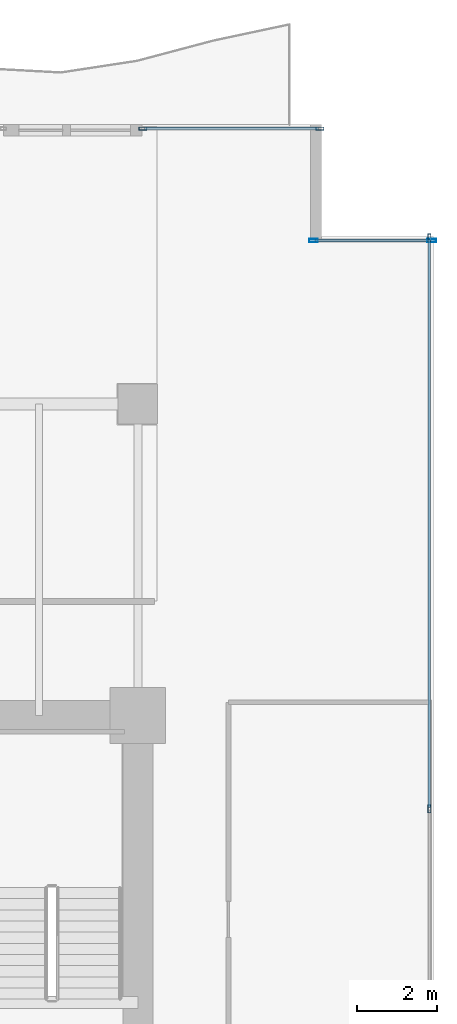
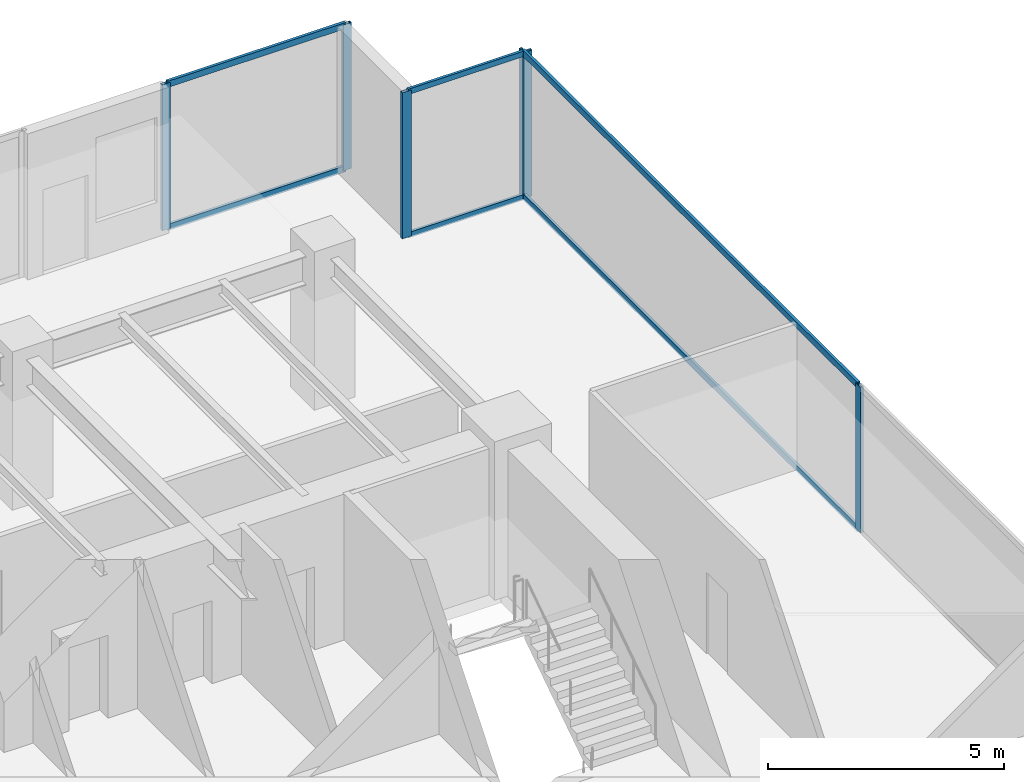
# One storey, part 22 of 32: 12 members, 3 elements without a shape of their own.
"""IFC4 building model written with IfcOpenShell, lengths in metres."""

from ifc_helpers import new_model, si_unit, direction, frame, origin, origin_2d, place, context, subcontext, project, spatial, hollow_rectangle, extrude, source, transform, mapped, material, layer, layer_set, material_profile, profile_set, type_object, type_shapes, element, aggregate, save


model = new_model("IFC4")

# Units and contexts
model_context = context("Model", 3, precision=1e-05, world=origin(), true_north=direction((0.0, 1.0)))
body_context = subcontext(model_context, "Body", "Model", "MODEL_VIEW")
ifc_project = project(units=[si_unit("LENGTHUNIT", "METRE"), si_unit("AREAUNIT", "SQUARE_METRE"), si_unit("VOLUMEUNIT", "CUBIC_METRE"), si_unit("PLANEANGLEUNIT", "RADIAN"), si_unit("MASSUNIT", "GRAM", prefix="KILO")], contexts=[model_context])

# Site, building, storey
site_placement = place(None, origin())
site = spatial("IfcSite", under=ifc_project, at=site_placement, CompositionType="ELEMENT")
building_placement = place(site_placement, origin())
building = spatial("IfcBuilding", under=site, at=building_placement, Name="Haelvirn Gate Laboratories", CompositionType="ELEMENT")
storey_placement = place(building_placement, frame((0.0, 0.0, 33.39990234375)))
storey = spatial("IfcBuildingStorey", under=building, at=storey_placement, Name="L08", CompositionType="ELEMENT", Elevation=33.39990234375)

# Curtain wall, members
ifc_material_1 = material(Name="Anodised bronze unitised aluminium & triple low-E glass", Category="aluminium")
ifc_layer_1 = layer(ifc_material_1, 0.18408203125, Name="CW-SYS-2")
ifc_layer_set_1 = layer_set([ifc_layer_1], Name="Anodised bronze unitised aluminium & triple low-E glass")
curtain_wall_type_1 = type_object("IfcCurtainWallType", Name="CW-SYS-2", PredefinedType="NOTDEFINED", material=ifc_layer_set_1)
curtain_wall_1_placement = place(storey_placement, origin())
curtain_wall_1 = element("IfcCurtainWall", 1, at=curtain_wall_1_placement, inside=storey, type_object=curtain_wall_type_1, Name="L08 Unitised Curtain Wall CW-L08-P0-E07", PredefinedType="NOTDEFINED")
ifc_material_2 = material(Name="Extruded aluminium 6063-T6 (anodised bronze)", Category="aluminium")
ifc_material_profile_1 = material_profile(ifc_material_2, hollow_rectangle(XDim=0.074951171875, YDim=0.199951171875, WallThickness=0.0048828125, at=origin_2d()), Name="CWM-200x75x5")
ifc_profile_set_1 = profile_set([ifc_material_profile_1], Name="Extruded aluminium 6063-T6 (anodised bronze)")
member_type_1 = type_object("IfcMemberType", Name="CWM-T200", PredefinedType="MULLION", material=ifc_profile_set_1)
shared_shape_1 = source(origin(), body_context, "Body", "SweptSolid", [
    extrude(hollow_rectangle(XDim=0.074951171875, YDim=0.199951171875, WallThickness=0.0048828125, at=origin_2d()), origin(), (0.0, 0.0, 1.0), 3.780029296875),
])
type_shapes(member_type_1, [shared_shape_1])
member_1_placement = place(storey_placement, frame((74.699951171875, 31.466552734375, 0.0), z_axis=(0.0, 0.0, 1.0), x_axis=(-1.0, 0.0, 0.0)))
member_1 = element("IfcMember", 2, at=member_1_placement, type_object=member_type_1, Name="CW2 mullion 3", PredefinedType="MULLION", context=body_context, shape_type="MappedRepresentation", body=[
    mapped(shared_shape_1, transform((0.0, 0.0, 0.0), scale=1.0)),
])
member_2_placement = place(storey_placement, frame((74.699951171875, 45.762451171875, 0.0), z_axis=(0.0, 0.0, 1.0), x_axis=(-1.0, 0.0, 0.0)))
member_2 = element("IfcMember", 3, at=member_2_placement, type_object=member_type_1, Name="CW2 mullion 4", PredefinedType="MULLION", context=body_context, shape_type="MappedRepresentation", body=[
    mapped(shared_shape_1, transform((0.0, 0.0, 0.0), scale=1.0)),
])

curtain_wall_2_placement = place(storey_placement, origin())
curtain_wall_2 = element("IfcCurtainWall", 4, at=curtain_wall_2_placement, inside=storey, type_object=curtain_wall_type_1, Name="L08 Unitised Curtain Wall CW-L08-P0-E10-2", PredefinedType="NOTDEFINED")
member_3_placement = place(storey_placement, frame((67.527587890625, 48.5, 0.0), z_axis=(0.0, 0.0, 1.0), x_axis=(0.0, 1.0, 0.0)))
member_3 = element("IfcMember", 5, at=member_3_placement, type_object=member_type_1, Name="CW2 mullion 1", PredefinedType="MULLION", context=body_context, shape_type="MappedRepresentation", body=[
    mapped(shared_shape_1, transform((0.0, 0.0, 0.0), scale=1.0)),
])
member_4_placement = place(storey_placement, frame((71.96240234375, 48.5, 0.0), z_axis=(0.0, 0.0, 1.0), x_axis=(0.0, 1.0, 0.0)))
member_4 = element("IfcMember", 6, at=member_4_placement, type_object=member_type_1, Name="CW2 mullion 2", PredefinedType="MULLION", context=body_context, shape_type="MappedRepresentation", body=[
    mapped(shared_shape_1, transform((0.0, 0.0, 0.0), scale=1.0)),
])

ifc_layer_2 = layer(ifc_material_1, 0.181884765625, Name="CW-SYS-5")
ifc_layer_set_2 = layer_set([ifc_layer_2], Name="Anodised bronze unitised aluminium & triple low-E glass")
curtain_wall_type_2 = type_object("IfcCurtainWallType", Name="CW-SYS-5", PredefinedType="NOTDEFINED", material=ifc_layer_set_2)
curtain_wall_3_placement = place(storey_placement, origin())
curtain_wall_3 = element("IfcCurtainWall", 7, at=curtain_wall_3_placement, inside=storey, type_object=curtain_wall_type_2, Name="L08 Unitised Curtain Wall CW-L08-P0-E08-1", PredefinedType="NOTDEFINED")
ifc_material_profile_2 = material_profile(ifc_material_2, hollow_rectangle(XDim=0.080078125, YDim=0.219970703125, WallThickness=0.006103515625, at=origin_2d()), Name="CWM-220x80x6")
ifc_profile_set_2 = profile_set([ifc_material_profile_2], Name="Extruded aluminium 6063-T6 (anodised bronze)")
member_type_2 = type_object("IfcMemberType", Name="CWM-T220", PredefinedType="MULLION", material=ifc_profile_set_2)
shared_shape_2 = source(origin(), body_context, "Body", "SweptSolid", [
    extrude(hollow_rectangle(XDim=0.080078125, YDim=0.219970703125, WallThickness=0.006103515625, at=origin_2d()), origin(), (0.0, 0.0, 1.0), 3.780029296875),
])
type_shapes(member_type_2, [shared_shape_2])
member_5_placement = place(storey_placement, frame((71.800048828125, 45.699951171875, 0.0), z_axis=(0.0, 0.0, 1.0), x_axis=(0.0, 1.0, 0.0)))
member_5 = element("IfcMember", 8, at=member_5_placement, type_object=member_type_2, Name="CW5 mullion 1", PredefinedType="MULLION", context=body_context, shape_type="MappedRepresentation", body=[
    mapped(shared_shape_2, transform((0.0, 0.0, 0.0), scale=1.0)),
])
member_6_placement = place(storey_placement, frame((74.760009765625, 45.699951171875, 0.0), z_axis=(0.0, 0.0, 1.0), x_axis=(0.0, 1.0, 0.0)))
member_6 = element("IfcMember", 9, at=member_6_placement, type_object=member_type_2, Name="CW5 mullion 2", PredefinedType="MULLION", context=body_context, shape_type="MappedRepresentation", body=[
    mapped(shared_shape_2, transform((0.0, 0.0, 0.0), scale=1.0)),
])
ifc_material_profile_3 = material_profile(ifc_material_2, hollow_rectangle(XDim=0.06494140625, YDim=0.139892578125, WallThickness=0.00390625, at=origin_2d()), Name="CWT-140x65x4")
ifc_profile_set_3 = profile_set([ifc_material_profile_3], Name="Extruded aluminium 6063-T6 (anodised bronze)")
member_type_3 = type_object("IfcMemberType", Name="CWT-T140", PredefinedType="USERDEFINED", material=ifc_profile_set_3)
shared_shape_3 = source(origin(), body_context, "Body", "SweptSolid", [
    extrude(hollow_rectangle(XDim=0.06494140625, YDim=0.139892578125, WallThickness=0.00390625, at=origin_2d()), origin(), (0.0, 0.0, 1.0), 2.8798828125),
])
type_shapes(member_type_3, [shared_shape_3])
member_7_placement = place(storey_placement, frame((71.840087890625, 45.699951171875, 0.03271484375), z_axis=(1.0, 0.0, 0.0), x_axis=(0.0, 1.0, 0.0)))
member_7 = element("IfcMember", 10, at=member_7_placement, type_object=member_type_3, Name="CW5 transom 1.1", ObjectType="TRANSOM", PredefinedType="USERDEFINED", context=body_context, shape_type="MappedRepresentation", body=[
    mapped(shared_shape_3, transform((0.0, 0.0, 0.0), scale=1.0)),
])
member_8_placement = place(storey_placement, frame((71.840087890625, 45.699951171875, 3.74755859375), z_axis=(1.0, 0.0, 0.0), x_axis=(0.0, 1.0, 0.0)))
member_8 = element("IfcMember", 11, at=member_8_placement, type_object=member_type_3, Name="CW5 transom 1.2", ObjectType="TRANSOM", PredefinedType="USERDEFINED", context=body_context, shape_type="MappedRepresentation", body=[
    mapped(shared_shape_3, transform((0.0, 0.0, 0.0), scale=1.0)),
])
aggregate(curtain_wall_3, [member_5, member_6, member_7, member_8])

# Member
ifc_material_profile_4 = material_profile(ifc_material_2, hollow_rectangle(XDim=0.070068359375, YDim=0.159912109375, WallThickness=0.0048828125, at=origin_2d()), Name="CWT-160x70x5")
ifc_profile_set_4 = profile_set([ifc_material_profile_4], Name="Extruded aluminium 6063-T6 (anodised bronze)")
member_type_4 = type_object("IfcMemberType", Name="CWT-T160", PredefinedType="USERDEFINED", material=ifc_profile_set_4)
shared_shape_4 = source(origin(), body_context, "Body", "SweptSolid", [
    extrude(hollow_rectangle(XDim=0.070068359375, YDim=0.159912109375, WallThickness=0.0048828125, at=origin_2d()), origin(), (0.0, 0.0, 1.0), 14.220947265625),
])
member_9_placement = place(storey_placement, frame((74.699951171875, 31.504150390625, 0.03515625), z_axis=(0.0, 1.0, 0.0), x_axis=(-1.0, 0.0, 0.0)))
member_9 = element("IfcMember", 12, at=member_9_placement, type_object=member_type_4, Name="CW2 transom 3.1", ObjectType="TRANSOM", PredefinedType="USERDEFINED", context=body_context, shape_type="MappedRepresentation", body=[
    mapped(shared_shape_4, transform((0.0, 0.0, 0.0), scale=1.0)),
])

member_10_placement = place(storey_placement, frame((74.699951171875, 31.504150390625, 3.7451171875), z_axis=(0.0, 1.0, 0.0), x_axis=(-1.0, 0.0, 0.0)))
member_10 = element("IfcMember", 13, at=member_10_placement, type_object=member_type_4, Name="CW2 transom 3.2", ObjectType="TRANSOM", PredefinedType="USERDEFINED", context=body_context, shape_type="MappedRepresentation", body=[
    mapped(shared_shape_4, transform((0.0, 0.0, 0.0), scale=1.0)),
])

aggregate(curtain_wall_1, [member_1, member_2, member_9, member_10])

shared_shape_5 = source(origin(), body_context, "Body", "SweptSolid", [
    extrude(hollow_rectangle(XDim=0.070068359375, YDim=0.159912109375, WallThickness=0.0048828125, at=origin_2d()), origin(), (0.0, 0.0, 1.0), 4.360107421875),
])
type_shapes(member_type_4, [shared_shape_4, shared_shape_5])
member_11_placement = place(storey_placement, frame((67.56494140625, 48.5, 0.03515625), z_axis=(1.0, 0.0, 0.0), x_axis=(0.0, 1.0, 0.0)))
member_11 = element("IfcMember", 14, at=member_11_placement, type_object=member_type_4, Name="CW2 transom 1.1", ObjectType="TRANSOM", PredefinedType="USERDEFINED", context=body_context, shape_type="MappedRepresentation", body=[
    mapped(shared_shape_5, transform((0.0, 0.0, 0.0), scale=1.0)),
])

member_12_placement = place(storey_placement, frame((67.56494140625, 48.5, 3.7451171875), z_axis=(1.0, 0.0, 0.0), x_axis=(0.0, 1.0, 0.0)))
member_12 = element("IfcMember", 15, at=member_12_placement, type_object=member_type_4, Name="CW2 transom 1.2", ObjectType="TRANSOM", PredefinedType="USERDEFINED", context=body_context, shape_type="MappedRepresentation", body=[
    mapped(shared_shape_5, transform((0.0, 0.0, 0.0), scale=1.0)),
])

aggregate(curtain_wall_2, [member_3, member_4, member_11, member_12])

save(model, "model.ifc")
